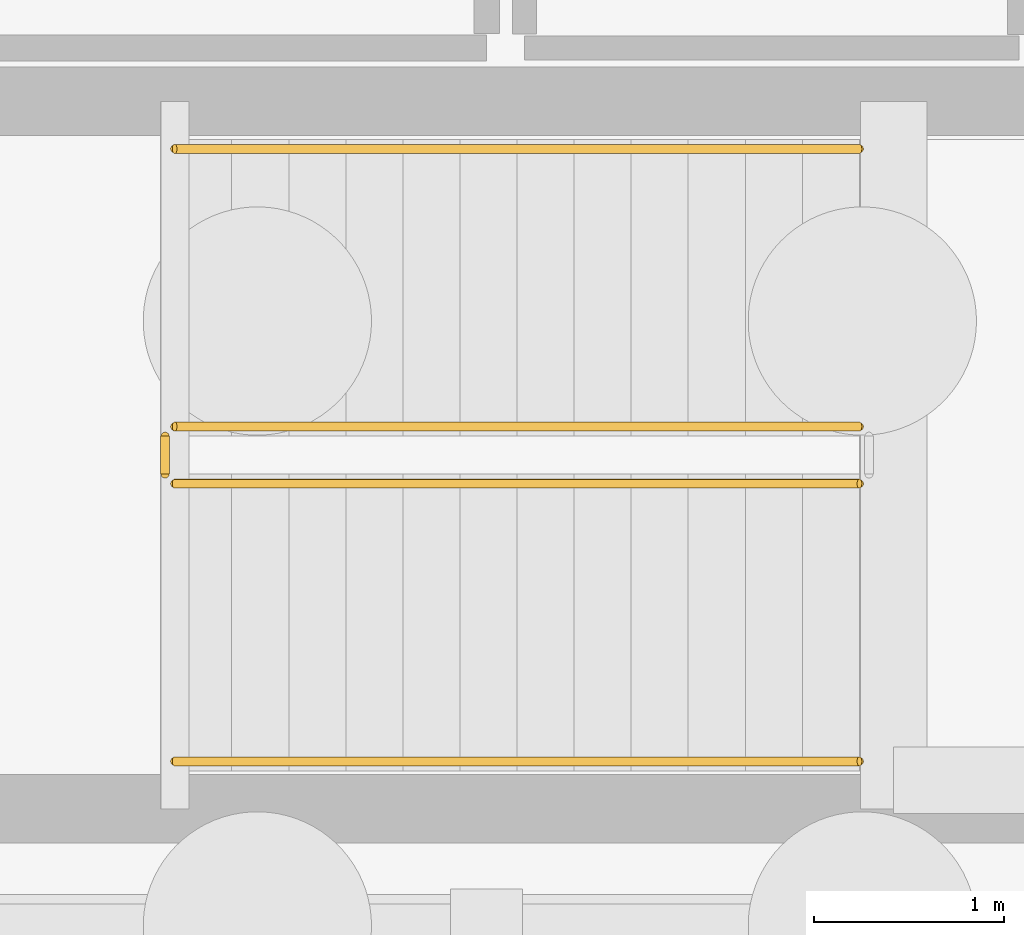
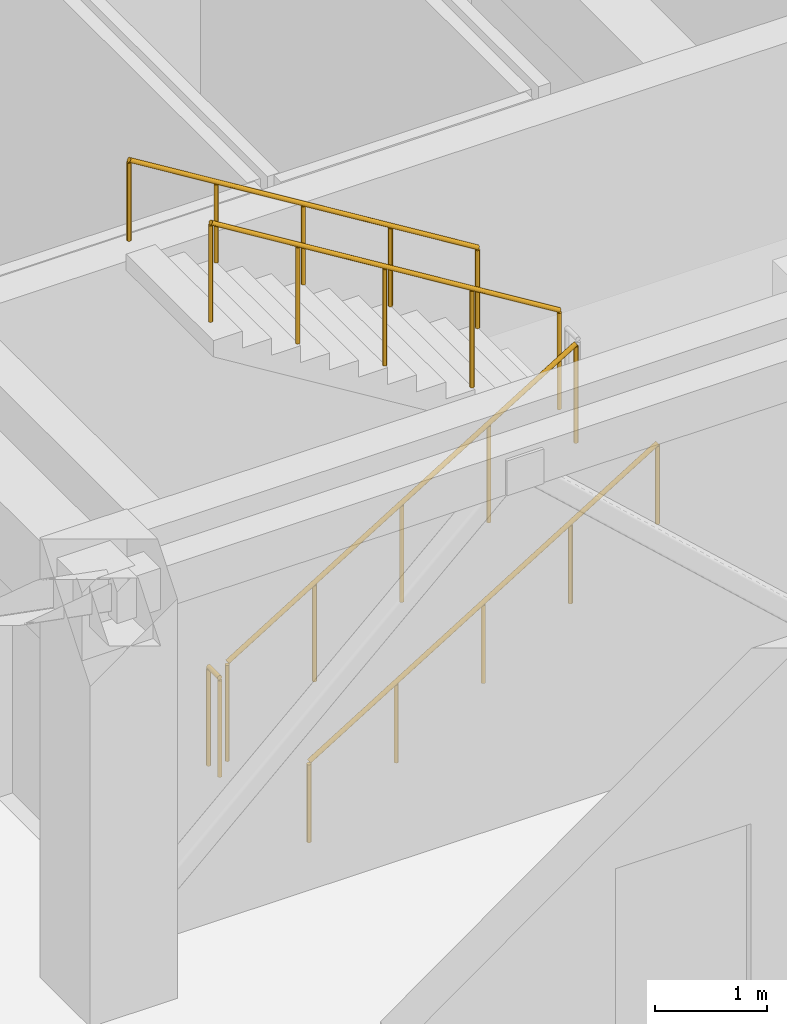
# One storey, part 32 of 37: 5 railings.
"""IFC4 building model written with IfcOpenShell, lengths in metres."""

import ifcopenshell
import ifcopenshell.guid

model = None  # the IFC model being written
_history = None  # IfcOwnerHistory: only IFC2X3 demands one
_inside = {}  # id of a spatial element -> (the spatial element, [elements in it])
_under = {}  # id of a project, library or spatial element -> (it, [spatial elements below it])
_declared = {}  # id of a project -> (the project, [libraries it declares])
_typed = {}  # id of a type object -> (the type object, [elements of that type])
_made_of = {}  # id of a material, layer set ... -> (it, [elements and type objects made of it])


def new_model(schema):
    """Start an empty IFC model of exactly this schema.

    Asked for "IFC4X3", IfcOpenShell would pick the latest addendum, in which some entities
    have other attributes; the version numbers below select the first issue.
    IFC2X3 requires an IfcOwnerHistory on every rooted entity: one is made here for all.
    """
    global model, _history
    if schema == "IFC4X3":
        model = ifcopenshell.file(schema_version=(4, 3, 0, 0))
    else:
        model = ifcopenshell.file(schema=schema)
    _inside.clear()
    _under.clear()
    _declared.clear()
    _typed.clear()
    _made_of.clear()
    _history = None
    if model.schema == "IFC2X3":
        org = make("IfcOrganization", Name="unknown")
        user = make(
            "IfcPersonAndOrganization",
            ThePerson=make("IfcPerson", FamilyName="unknown"),
            TheOrganization=org,
        )
        app = make(
            "IfcApplication",
            ApplicationDeveloper=org,
            Version="unknown",
            ApplicationFullName="unknown",
            ApplicationIdentifier="unknown",
        )
        _history = make(
            "IfcOwnerHistory",
            OwningUser=user,
            OwningApplication=app,
            ChangeAction="ADDED",
            CreationDate=0,
        )
    return model


def make(cls, **values):
    """One entity of the class cls with the attributes given. An attribute that is None is left unset."""
    return model.create_entity(
        cls, **{name: value for name, value in values.items() if value is not None}
    )


def rooted(cls, **values):
    """An entity with a GlobalId (a new one), such as an element, a storey or a relation."""
    return make(cls, GlobalId=ifcopenshell.guid.new(), OwnerHistory=_history, **values)


def si_unit(unit_type, name, prefix=None):
    """IfcSIUnit, for example si_unit("LENGTHUNIT", "METRE", prefix="MILLI")."""
    return make("IfcSIUnit", UnitType=unit_type, Prefix=prefix, Name=name)


def assignment(units):
    """IfcUnitAssignment: the units of a project."""
    return None if units is None else make("IfcUnitAssignment", Units=units)


def point(xyz):
    """IfcCartesianPoint."""
    return None if xyz is None else make("IfcCartesianPoint", Coordinates=xyz)


def direction(xyz):
    """IfcDirection."""
    return None if xyz is None else make("IfcDirection", DirectionRatios=xyz)


def frame(location, z_axis=None, x_axis=None):
    """IfcAxis2Placement3D, a coordinate frame: its origin and axes. An axis left out is left unset."""
    return make(
        "IfcAxis2Placement3D",
        Location=point(location),
        Axis=direction(z_axis),
        RefDirection=direction(x_axis),
    )


def frame_2d(location, x_axis=None):
    """IfcAxis2Placement2D, a coordinate frame in the plane: its origin and x axis."""
    return make(
        "IfcAxis2Placement2D", Location=point(location), RefDirection=direction(x_axis)
    )


def origin():
    """The frame at (0, 0, 0) with its axes left unset."""
    return frame((0.0, 0.0, 0.0))


def origin_2d():
    """The frame at (0, 0) in the plane with its x axis left unset."""
    return frame_2d((0.0, 0.0))


def place(relative_to, where):
    """IfcLocalPlacement: puts the frame where relative to a parent placement (None: the world)."""
    return make(
        "IfcLocalPlacement", PlacementRelTo=relative_to, RelativePlacement=where
    )


def context(
    kind, dimensions, precision=None, world=None, true_north=None, identifier=None
):
    """IfcGeometricRepresentationContext, for example the 3D "Model" context."""
    return make(
        "IfcGeometricRepresentationContext",
        ContextIdentifier=identifier,
        ContextType=kind,
        CoordinateSpaceDimension=dimensions,
        Precision=precision,
        WorldCoordinateSystem=world,
        TrueNorth=true_north,
    )


def subcontext(parent, identifier, kind, view, scale=None):
    """IfcGeometricRepresentationSubContext, for example "Body" below "Model"."""
    return make(
        "IfcGeometricRepresentationSubContext",
        ContextIdentifier=identifier,
        ContextType=kind,
        ParentContext=parent,
        TargetScale=scale,
        TargetView=view,
    )


def project(units=None, contexts=None):
    """IfcProject with its units and contexts."""
    return rooted(
        "IfcProject",
        Name="project",
        RepresentationContexts=contexts,
        UnitsInContext=assignment(units),
    )


def spatial(cls, under=None, at=None, **own):
    """A site, building, storey or space (cls), placed at a placement, below another one or the project."""
    s = rooted(cls, ObjectPlacement=at, **own)
    if under is not None:
        _under.setdefault(under.id(), (under, []))[1].append(s)
    return s


def profile(cls, at=None, kind="AREA", **sizes):
    """A parametric profile (cls). Its sizes go by their IFC names, for example OverallWidth=200.0."""
    return make(cls, ProfileType=kind, Position=at, **sizes)


def circle(**sizes):
    """IfcCircleProfileDef."""
    return profile("IfcCircleProfileDef", **sizes)


def extrude(swept, where, along, depth):
    """IfcExtrudedAreaSolid: the profile swept, set in the frame where, extruded along a direction by depth."""
    return make(
        "IfcExtrudedAreaSolid",
        SweptArea=swept,
        Position=where,
        ExtrudedDirection=direction(along),
        Depth=depth,
    )


def shape(context_of_items, identifier, shape_type, items):
    """IfcShapeRepresentation: the items that make up one representation, for example the "Body"."""
    return make(
        "IfcShapeRepresentation",
        ContextOfItems=context_of_items,
        RepresentationIdentifier=identifier,
        RepresentationType=shape_type,
        Items=items,
    )


def material(Name=None, Category=None):
    """IfcMaterial."""
    return make("IfcMaterial", Name=Name, Category=Category)


def made_of(thing, what):
    """Note that an element or type object is made of a material, layer set ...; save() writes the relation."""
    if what is not None:
        _made_of.setdefault(what.id(), (what, []))[1].append(thing)
    return thing


def type_object(cls, material=None, **own):
    """A type object (cls), such as IfcWallType, which elements share."""
    return made_of(rooted(cls, **own), material)


def element(
    cls,
    number,
    at=None,
    inside=None,
    cuts=None,
    type_object=None,
    material=None,
    context=None,
    identifier="Body",
    shape_type=None,
    held_by="IfcProductDefinitionShape",
    body=None,
    shapes=None,
    **own,
):
    """One element of the class cls, such as IfcWall. Its Tag is "e" and its number.

    at: its placement. inside: the storey or other place that contains it. cuts: it is an
    opening in that element (IfcRelVoidsElement). A single representation is given by context,
    identifier, shape_type and body (its items); several are given by shapes. held_by: the class
    of the entity that holds the representations. save() writes the other relations.
    """
    e = rooted(cls, Tag="e%d" % number, ObjectPlacement=at, **own)
    if body is not None:
        shapes = [shape(context, identifier, shape_type, body)]
    if shapes is not None:
        e.Representation = make(held_by, Representations=shapes)
    if inside is not None:
        _inside.setdefault(inside.id(), (inside, []))[1].append(e)
    if cuts is not None:
        rooted(
            "IfcRelVoidsElement", RelatingBuildingElement=cuts, RelatedOpeningElement=e
        )
    if type_object is not None:
        _typed.setdefault(type_object.id(), (type_object, []))[1].append(e)
    return made_of(e, material)


def aggregate(whole, parts):
    """IfcRelAggregates: a whole, such as a stair, and the parts it consists of."""
    return rooted("IfcRelAggregates", RelatingObject=whole, RelatedObjects=parts)


def save(model, path):
    """Write the relations noted so far, then the file.

    IfcRelAggregates (storeys below a building ...), IfcRelContainedInSpatialStructure (elements
    in a storey), IfcRelDefinesByType, IfcRelAssociatesMaterial and IfcRelDeclares: one each for
    every whole, place, type object, material and project.
    """
    for whole, parts in _under.values():
        aggregate(whole, parts)
    for where, things in _inside.values():
        rooted(
            "IfcRelContainedInSpatialStructure",
            RelatedElements=things,
            RelatingStructure=where,
        )
    for kind, things in _typed.values():
        rooted("IfcRelDefinesByType", RelatedObjects=things, RelatingType=kind)
    for what, things in _made_of.values():
        rooted("IfcRelAssociatesMaterial", RelatedObjects=things, RelatingMaterial=what)
    for by, libraries in _declared.values():
        rooted("IfcRelDeclares", RelatingContext=by, RelatedDefinitions=libraries)
    model.write(path)


model = new_model("IFC4")

# Units and contexts
model_context = context("Model", 3, precision=1e-05, world=origin(), true_north=direction((0.0, 1.0)))
body_context = subcontext(model_context, "Body", "Model", "MODEL_VIEW")
ifc_project = project(units=[si_unit("LENGTHUNIT", "METRE"), si_unit("AREAUNIT", "SQUARE_METRE"), si_unit("VOLUMEUNIT", "CUBIC_METRE"), si_unit("PLANEANGLEUNIT", "RADIAN"), si_unit("MASSUNIT", "GRAM", prefix="KILO")], contexts=[model_context])

# Site, building, storey
site_placement = place(None, origin())
site = spatial("IfcSite", under=ifc_project, at=site_placement, CompositionType="ELEMENT")
building_placement = place(site_placement, origin())
building = spatial("IfcBuilding", under=site, at=building_placement, Name="Tarnavel Promenade Courthouse", CompositionType="ELEMENT")
storey_placement = place(building_placement, frame((0.0, 0.0, -4.800048828125)))
storey = spatial("IfcBuildingStorey", under=building, at=storey_placement, Name="B01", CompositionType="ELEMENT", Elevation=-4.800048828125)

# Railings
ifc_material_1 = material(Name="Brushed Bronze Tubular Stair Handrail")
railing_type_1 = type_object("IfcRailingType", Name="Brushed Bronze Tubular Stair Handrail (RL-HND-0900)", PredefinedType="HANDRAIL", material=ifc_material_1)
railing_1_placement = place(storey_placement, frame((61.360107421875, 80.050048828125, 0.1845703125)))
element("IfcRailing", 1, at=railing_1_placement, inside=storey, type_object=railing_type_1, Name="B01 ST-01 stair handrail 1", PredefinedType="HANDRAIL", context=body_context, shape_type="SweptSolid", body=[
    extrude(circle(Radius=0.02392578125, at=origin_2d()), frame((0.0, 0.0, 0.8759765625), z_axis=(0.851628569182, 0.0, 0.524145762315), x_axis=(0.0, 1.0, 0.0)), (0.0, 0.0, 1.0), 4.22705078125),
    extrude(circle(Radius=0.02099609375, at=origin_2d()), origin(), (0.0, 0.0, 1.0), 0.851806640625),
    extrude(circle(Radius=0.02099609375, at=origin_2d()), frame((0.89990234375, 0.0, 0.553955078125)), (0.0, 0.0, 1.0), 0.851806640625),
    extrude(circle(Radius=0.02099609375, at=origin_2d()), frame((1.7998046875, 0.0, 1.10791015625)), (0.0, 0.0, 1.0), 0.851806640625),
    extrude(circle(Radius=0.02099609375, at=origin_2d()), frame((2.699951171875, 0.0, 1.66162109375)), (0.0, 0.0, 1.0), 0.851806640625),
    extrude(circle(Radius=0.02099609375, at=origin_2d()), frame((3.599853515625, 0.0, 2.215576171875)), (0.0, 0.0, 1.0), 0.851806640625),
])
railing_2_placement = place(storey_placement, frame((64.9599609375, 83.27001953125, 2.584716796875)))
element("IfcRailing", 2, at=railing_2_placement, inside=storey, type_object=railing_type_1, Name="B01 ST-01 stair handrail 2", PredefinedType="HANDRAIL", context=body_context, shape_type="SweptSolid", body=[
    extrude(circle(Radius=0.02392578125, at=origin_2d()), frame((0.0, 0.0, 0.8759765625), z_axis=(-0.851654350407, 0.0, 0.524103870844), x_axis=(0.0, -1.0, 0.0)), (0.0, 0.0, 1.0), 4.226806640625),
    extrude(circle(Radius=0.02099609375, at=origin_2d()), origin(), (0.0, 0.0, 1.0), 0.851806640625),
    extrude(circle(Radius=0.02099609375, at=origin_2d()), frame((-0.89990234375, 0.0, 0.5537109375)), (0.0, 0.0, 1.0), 0.851806640625),
    extrude(circle(Radius=0.02099609375, at=origin_2d()), frame((-1.7998046875, 0.0, 1.107666015625)), (0.0, 0.0, 1.0), 0.851806640625),
    extrude(circle(Radius=0.02099609375, at=origin_2d()), frame((-2.699951171875, 0.0, 1.66162109375)), (0.0, 0.0, 1.0), 0.851806640625),
    extrude(circle(Radius=0.02099609375, at=origin_2d()), frame((-3.599853515625, 0.0, 2.21533203125)), (0.0, 0.0, 1.0), 0.851806640625),
])
ifc_material_2 = material(Name="Painted Architectural Steel Core Stair Guardrail", Category="steel")
railing_type_2 = type_object("IfcRailingType", Name="Painted Architectural Steel Core Stair Guardrail (RL-GRD-1100)", PredefinedType="GUARDRAIL", material=ifc_material_2)
railing_3_placement = place(storey_placement, frame((61.360107421875, 81.510009765625, 0.1845703125)))
element("IfcRailing", 3, at=railing_3_placement, inside=storey, type_object=railing_type_2, Name="B01 ST-01 stair guard 1", PredefinedType="GUARDRAIL", context=body_context, shape_type="SweptSolid", body=[
    extrude(circle(Radius=0.02392578125, at=origin_2d()), frame((0.0, 0.0, 1.076171875), z_axis=(0.851628569182, 0.0, 0.524145762315), x_axis=(0.0, 1.0, 0.0)), (0.0, 0.0, 1.0), 4.22705078125),
    extrude(circle(Radius=0.02099609375, at=origin_2d()), origin(), (0.0, 0.0, 1.0), 1.052001953125),
    extrude(circle(Radius=0.02099609375, at=origin_2d()), frame((0.89990234375, 0.0, 0.553955078125)), (0.0, 0.0, 1.0), 1.052001953125),
    extrude(circle(Radius=0.02099609375, at=origin_2d()), frame((1.7998046875, 0.0, 1.10791015625)), (0.0, 0.0, 1.0), 1.052001953125),
    extrude(circle(Radius=0.02099609375, at=origin_2d()), frame((2.699951171875, 0.0, 1.66162109375)), (0.0, 0.0, 1.0), 1.052001953125),
    extrude(circle(Radius=0.02099609375, at=origin_2d()), frame((3.599853515625, 0.0, 2.215576171875)), (0.0, 0.0, 1.0), 1.052001953125),
])
railing_4_placement = place(storey_placement, frame((64.9599609375, 81.81005859375, 2.584716796875)))
element("IfcRailing", 4, at=railing_4_placement, inside=storey, type_object=railing_type_2, Name="B01 ST-01 stair guard 3", PredefinedType="GUARDRAIL", context=body_context, shape_type="SweptSolid", body=[
    extrude(circle(Radius=0.02392578125, at=origin_2d()), frame((0.0, 0.0, 1.076171875), z_axis=(-0.851654350407, 0.0, 0.524103870844), x_axis=(0.0, -1.0, 0.0)), (0.0, 0.0, 1.0), 4.226806640625),
    extrude(circle(Radius=0.02099609375, at=origin_2d()), origin(), (0.0, 0.0, 1.0), 1.052001953125),
    extrude(circle(Radius=0.02099609375, at=origin_2d()), frame((-0.89990234375, 0.0, 0.5537109375)), (0.0, 0.0, 1.0), 1.052001953125),
    extrude(circle(Radius=0.02099609375, at=origin_2d()), frame((-1.7998046875, 0.0, 1.107666015625)), (0.0, 0.0, 1.0), 1.052001953125),
    extrude(circle(Radius=0.02099609375, at=origin_2d()), frame((-2.699951171875, 0.0, 1.66162109375)), (0.0, 0.0, 1.0), 1.052001953125),
    extrude(circle(Radius=0.02099609375, at=origin_2d()), frame((-3.599853515625, 0.0, 2.21533203125)), (0.0, 0.0, 1.0), 1.052001953125),
])
railing_5_placement = place(storey_placement, frame((61.31005859375, 81.56005859375, 0.0)))
element("IfcRailing", 5, at=railing_5_placement, inside=storey, type_object=railing_type_2, Name="B01 ST-01 stair guard 4", PredefinedType="GUARDRAIL", context=body_context, shape_type="SweptSolid", body=[
    extrude(circle(Radius=0.02392578125, at=origin_2d()), frame((0.0, 0.0, 1.076171875), z_axis=(0.0, 1.0, 0.0), x_axis=(-1.0, 0.0, 0.0)), (0.0, 0.0, 1.0), 0.199951171875),
    extrude(circle(Radius=0.02099609375, at=origin_2d()), origin(), (0.0, 0.0, 1.0), 1.052001953125),
    extrude(circle(Radius=0.02099609375, at=origin_2d()), frame((0.0, 0.199951171875, 0.0)), (0.0, 0.0, 1.0), 1.052001953125),
])

save(model, "model.ifc")
